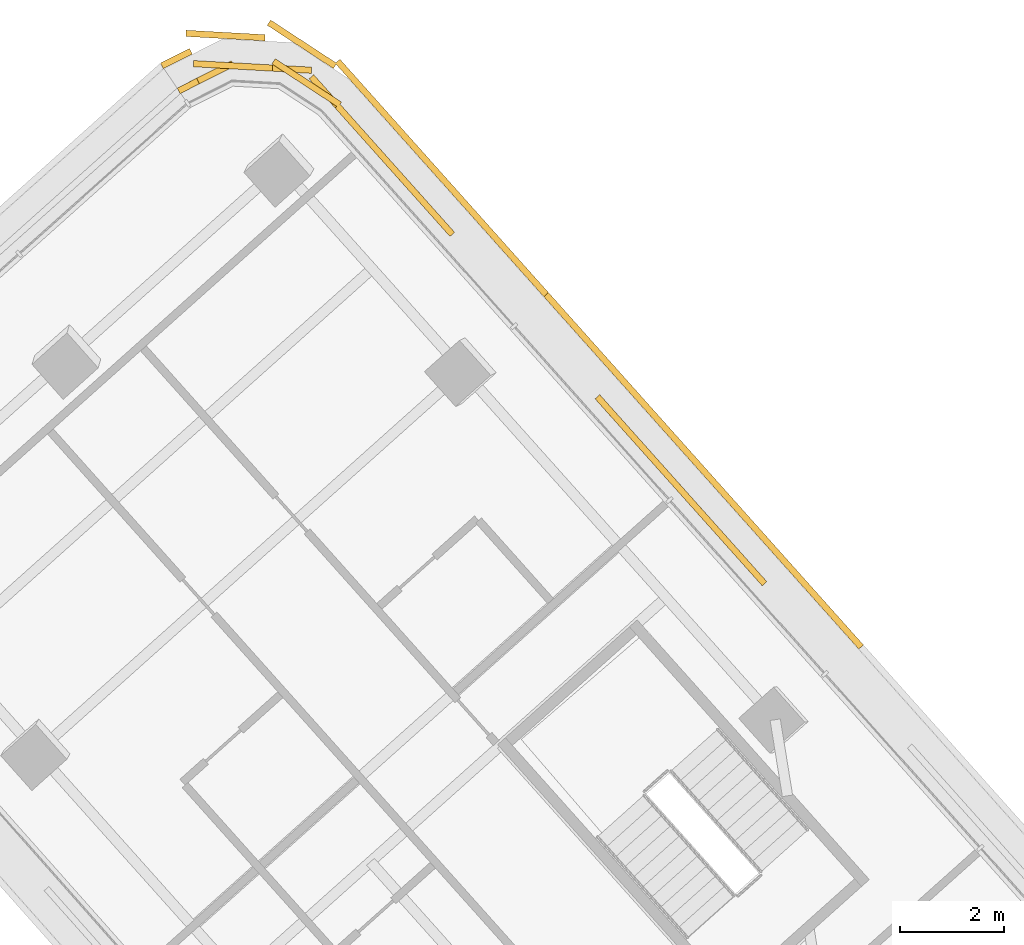
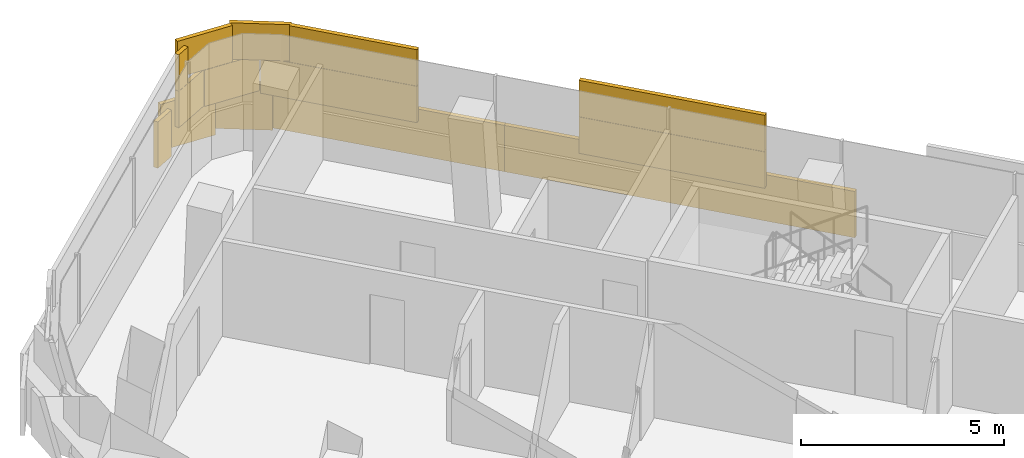
# One storey, part 32 of 33: 2 coverings.
"""IFC4 building model written with IfcOpenShell, lengths in metres."""

from ifc_helpers import new_model, si_unit, direction, frame, origin, origin_2d, place, context, subcontext, project, spatial, rectangle, extrude, material, layer, layer_set, type_object, element, save


model = new_model("IFC4")

# Units and contexts
model_context = context("Model", 3, precision=1e-05, world=origin(), true_north=direction((0.0, 1.0)))
body_context = subcontext(model_context, "Body", "Model", "MODEL_VIEW")
ifc_project = project(units=[si_unit("LENGTHUNIT", "METRE"), si_unit("AREAUNIT", "SQUARE_METRE"), si_unit("VOLUMEUNIT", "CUBIC_METRE"), si_unit("PLANEANGLEUNIT", "RADIAN"), si_unit("MASSUNIT", "GRAM", prefix="KILO")], contexts=[model_context])

# Site, building, storey
site_placement = place(None, origin())
site = spatial("IfcSite", under=ifc_project, at=site_placement, CompositionType="ELEMENT")
building_placement = place(site_placement, origin())
building = spatial("IfcBuilding", under=site, at=building_placement, Name="Tamarind Cross Interchange Tower", CompositionType="ELEMENT")
storey_placement = place(building_placement, frame((0.0, 0.0, 186.10009765625)))
storey = spatial("IfcBuildingStorey", under=building, at=storey_placement, Name="L46", CompositionType="ELEMENT", Elevation=186.10009765625)

# Coverings
ifc_material = material(Name="Terracotta", Category="masonry")
ifc_layer = layer(ifc_material, 0.1201171875)
ifc_layer_set = layer_set([ifc_layer], Name="Terracotta")
covering_type = type_object("IfcCoveringType", Name="Terracotta baguette screen unit", PredefinedType="MOLDING", material=ifc_layer_set)
covering_1_placement = place(storey_placement, origin())
element("IfcCovering", 1, at=covering_1_placement, inside=storey, type_object=covering_type, Name="SCR-L46-07-01", PredefinedType="MOLDING", context=body_context, shape_type="SweptSolid", body=[
    extrude(rectangle(XDim=1.072998046875, YDim=0.1201171875, at=origin_2d()), frame((-1.99365234375, 34.869140625, 1.40380859375), z_axis=(0.0, 0.0, 1.0), x_axis=(-0.666428375667, 0.745569057905, 0.0)), (0.0, 0.0, 1.0), 1.092041015625),
    extrude(rectangle(XDim=1.52001953125, YDim=0.1201171875, at=origin_2d()), frame((-2.84765625, 35.82470703125, 1.40380859375), z_axis=(0.0, 0.0, 1.0), x_axis=(-0.666428375667, 0.745569057905, 0.0)), (0.0, 0.0, 1.0), 1.092041015625),
    extrude(rectangle(XDim=1.52001953125, YDim=0.1201171875, at=origin_2d()), frame((-3.847412109375, 36.943115234375, 1.40380859375), z_axis=(0.0, 0.0, 1.0), x_axis=(-0.666428375667, 0.745569057905, 0.0)), (0.0, 0.0, 1.0), 1.092041015625),
    extrude(rectangle(XDim=0.75927734375, YDim=0.1201171875, at=origin_2d()), frame((-4.596923828125, 37.781494140625, 1.40380859375), z_axis=(0.0, 0.0, 1.0), x_axis=(-0.666428375667, 0.745569057905, 0.0)), (0.0, 0.0, 1.0), 1.092041015625),
    extrude(rectangle(XDim=0.322998046875, YDim=0.1201171875, at=origin_2d()), frame((-1.743896484375, 34.589599609375, 2.50390625), z_axis=(0.0, 0.0, 1.0), x_axis=(-0.666428375667, 0.745569057905, 0.0)), (0.0, 0.0, 1.0), 1.092041015625),
    extrude(rectangle(XDim=1.52001953125, YDim=0.1201171875, at=origin_2d()), frame((-2.347900390625, 35.265625, 2.50390625), z_axis=(0.0, 0.0, 1.0), x_axis=(-0.666428375667, 0.745569057905, 0.0)), (0.0, 0.0, 1.0), 1.092041015625),
    extrude(rectangle(XDim=1.52001953125, YDim=0.1201171875, at=origin_2d()), frame((-3.34765625, 36.3837890625, 2.50390625), z_axis=(0.0, 0.0, 1.0), x_axis=(-0.666428375667, 0.745569057905, 0.0)), (0.0, 0.0, 1.0), 1.092041015625),
    extrude(rectangle(XDim=1.50927734375, YDim=0.1201171875, at=origin_2d()), frame((-4.346923828125, 37.501953125, 2.50390625), z_axis=(0.0, 0.0, 1.0), x_axis=(-0.666428375667, 0.745569057905, 0.0)), (0.0, 0.0, 1.0), 1.092041015625),
    extrude(rectangle(XDim=0.109619140625, YDim=0.1201171875, at=origin_2d()), frame((0.185302734375, 33.292724609375, 0.00390625), z_axis=(0.0, 0.0, 1.0), x_axis=(-0.666428375667, 0.745569057905, 0.0)), (0.0, 0.0, 1.0), 1.39208984375),
    extrude(rectangle(XDim=1.52001953125, YDim=0.1201171875, at=origin_2d()), frame((-0.344482421875, 33.885498046875, 0.00390625), z_axis=(0.0, 0.0, 1.0), x_axis=(-0.666428375667, 0.745569057905, 0.0)), (0.0, 0.0, 1.0), 1.39208984375),
    extrude(rectangle(XDim=1.52001953125, YDim=0.1201171875, at=origin_2d()), frame((-1.343994140625, 35.003662109375, 0.00390625), z_axis=(0.0, 0.0, 1.0), x_axis=(-0.666428375667, 0.745569057905, 0.0)), (0.0, 0.0, 1.0), 1.39208984375),
    extrude(rectangle(XDim=1.52001953125, YDim=0.1201171875, at=origin_2d()), frame((-2.34375, 36.1220703125, 0.00390625), z_axis=(0.0, 0.0, 1.0), x_axis=(-0.666428375667, 0.745569057905, 0.0)), (0.0, 0.0, 1.0), 1.39208984375),
    extrude(rectangle(XDim=1.52001953125, YDim=0.1201171875, at=origin_2d()), frame((-3.34326171875, 37.240478515625, 0.00390625), z_axis=(0.0, 0.0, 1.0), x_axis=(-0.666428375667, 0.745569057905, 0.0)), (0.0, 0.0, 1.0), 1.39208984375),
    extrude(rectangle(XDim=1.52001953125, YDim=0.1201171875, at=origin_2d()), frame((-4.343017578125, 38.35888671875, 0.00390625), z_axis=(0.0, 0.0, 1.0), x_axis=(-0.666428375667, 0.745569057905, 0.0)), (0.0, 0.0, 1.0), 1.39208984375),
    extrude(rectangle(XDim=1.500732421875, YDim=0.1201171875, at=origin_2d()), frame((-5.336181640625, 39.469970703125, 0.00390625), z_axis=(0.0, 0.0, 1.0), x_axis=(-0.666428375667, 0.745569057905, 0.0)), (0.0, 0.0, 1.0), 1.39208984375),
])
covering_2_placement = place(storey_placement, origin())
element("IfcCovering", 2, at=covering_2_placement, inside=storey, type_object=covering_type, Name="SCR-L46-07-02", PredefinedType="MOLDING", context=body_context, shape_type="SweptSolid", body=[
    extrude(rectangle(XDim=1.060791015625, YDim=0.1201171875, at=origin_2d()), frame((-7.99560546875, 41.583984375, 1.40380859375), z_axis=(0.0, 0.0, 1.0), x_axis=(-0.666428375667, 0.745569057905, 0.0)), (0.0, 0.0, 1.0), 1.092041015625),
    extrude(rectangle(XDim=1.52001953125, YDim=0.1201171875, at=origin_2d()), frame((-8.845703125, 42.534912109375, 1.40380859375), z_axis=(0.0, 0.0, 1.0), x_axis=(-0.666428375667, 0.745569057905, 0.0)), (0.0, 0.0, 1.0), 1.092041015625),
    extrude(rectangle(XDim=1.52001953125, YDim=0.1201171875, at=origin_2d()), frame((-9.84521484375, 43.653076171875, 1.40380859375), z_axis=(0.0, 0.0, 1.0), x_axis=(-0.666428375667, 0.745569057905, 0.0)), (0.0, 0.0, 1.0), 1.092041015625),
    extrude(rectangle(XDim=1.52001953125, YDim=0.1201171875, at=origin_2d()), frame((-11.10986328125, 44.3876953125, 1.40380859375), z_axis=(0.0, 0.0, 1.0), x_axis=(-0.998432960297, 0.055960913078, 0.0)), (0.0, 0.0, 1.0), 1.092041015625),
    extrude(rectangle(XDim=1.16552734375, YDim=0.1201171875, at=origin_2d()), frame((-12.383544921875, 44.212158203125, 1.40380859375), z_axis=(0.0, 0.0, 1.0), x_axis=(-0.892648764132, -0.450752907804, 0.0)), (0.0, 0.0, 1.0), 1.092041015625),
    extrude(rectangle(XDim=0.310791015625, YDim=0.1201171875, at=origin_2d()), frame((-7.74560546875, 41.304443359375, 2.50390625), z_axis=(0.0, 0.0, 1.0), x_axis=(-0.666428375667, 0.745569057905, 0.0)), (0.0, 0.0, 1.0), 1.092041015625),
    extrude(rectangle(XDim=1.52001953125, YDim=0.1201171875, at=origin_2d()), frame((-8.345703125, 41.9755859375, 2.50390625), z_axis=(0.0, 0.0, 1.0), x_axis=(-0.666428375667, 0.745569057905, 0.0)), (0.0, 0.0, 1.0), 1.092041015625),
    extrude(rectangle(XDim=1.52001953125, YDim=0.1201171875, at=origin_2d()), frame((-9.345458984375, 43.093994140625, 2.50390625), z_axis=(0.0, 0.0, 1.0), x_axis=(-0.666428375667, 0.745569057905, 0.0)), (0.0, 0.0, 1.0), 1.092041015625),
    extrude(rectangle(XDim=1.52001953125, YDim=0.1201171875, at=origin_2d()), frame((-10.442138671875, 44.099609375, 2.50390625), z_axis=(0.0, 0.0, 1.0), x_axis=(-0.836687851054, 0.547680052493, 0.0)), (0.0, 0.0, 1.0), 1.092041015625),
    extrude(rectangle(XDim=1.52001953125, YDim=0.1201171875, at=origin_2d()), frame((-11.85888671875, 44.4296875, 2.50390625), z_axis=(0.0, 0.0, 1.0), x_axis=(-0.998432960297, 0.055960913078, 0.0)), (0.0, 0.0, 1.0), 1.092041015625),
    extrude(rectangle(XDim=0.41552734375, YDim=0.1201171875, at=origin_2d()), frame((-12.71826171875, 44.04296875, 2.50390625), z_axis=(0.0, 0.0, 1.0), x_axis=(-0.892648764132, -0.450752907804, 0.0)), (0.0, 0.0, 1.0), 1.092041015625),
    extrude(rectangle(XDim=1.52001953125, YDim=0.1201171875, at=origin_2d()), frame((-6.34228515625, 40.595458984375, 0.00390625), z_axis=(0.0, 0.0, 1.0), x_axis=(-0.666428375667, 0.745569057905, 0.0)), (0.0, 0.0, 1.0), 1.39208984375),
    extrude(rectangle(XDim=1.52001953125, YDim=0.1201171875, at=origin_2d()), frame((-7.341796875, 41.7138671875, 0.00390625), z_axis=(0.0, 0.0, 1.0), x_axis=(-0.666428375667, 0.745569057905, 0.0)), (0.0, 0.0, 1.0), 1.39208984375),
    extrude(rectangle(XDim=1.52001953125, YDim=0.1201171875, at=origin_2d()), frame((-8.341552734375, 42.832275390625, 0.00390625), z_axis=(0.0, 0.0, 1.0), x_axis=(-0.666428375667, 0.745569057905, 0.0)), (0.0, 0.0, 1.0), 1.39208984375),
    extrude(rectangle(XDim=1.52001953125, YDim=0.1201171875, at=origin_2d()), frame((-9.341064453125, 43.95068359375, 0.00390625), z_axis=(0.0, 0.0, 1.0), x_axis=(-0.666428375667, 0.745569057905, 0.0)), (0.0, 0.0, 1.0), 1.39208984375),
    extrude(rectangle(XDim=1.52001953125, YDim=0.1201171875, at=origin_2d()), frame((-10.533447265625, 44.84521484375, 0.00390625), z_axis=(0.0, 0.0, 1.0), x_axis=(-0.836687851054, 0.547680052493, 0.0)), (0.0, 0.0, 1.0), 1.39208984375),
    extrude(rectangle(XDim=1.52001953125, YDim=0.1201171875, at=origin_2d()), frame((-12.00341796875, 45.0126953125, 0.00390625), z_axis=(0.0, 0.0, 1.0), x_axis=(-0.998432960297, 0.055960913078, 0.0)), (0.0, 0.0, 1.0), 1.39208984375),
    extrude(rectangle(XDim=0.621826171875, YDim=0.1201171875, at=origin_2d()), frame((-12.947998046875, 44.570068359375, 0.00390625), z_axis=(0.0, 0.0, 1.0), x_axis=(-0.892648764132, -0.450752907804, 0.0)), (0.0, 0.0, 1.0), 1.39208984375),
])

save(model, "model.ifc")
